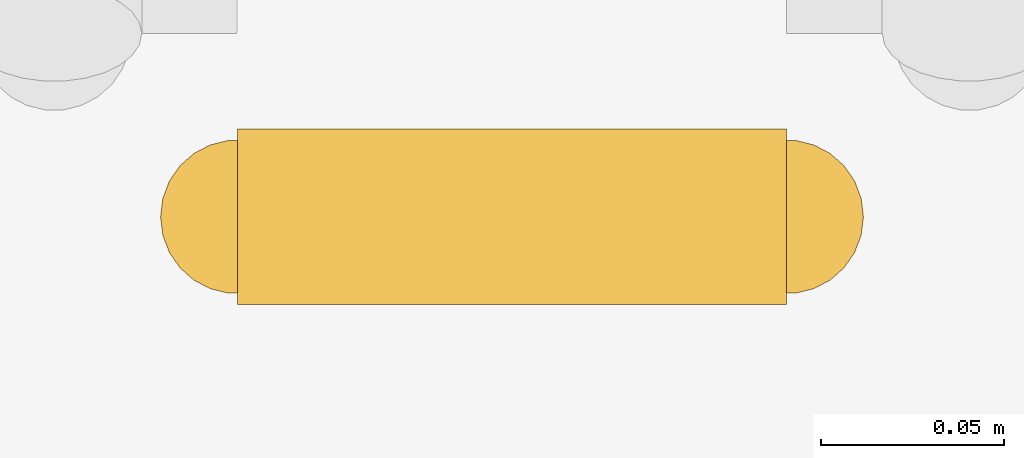
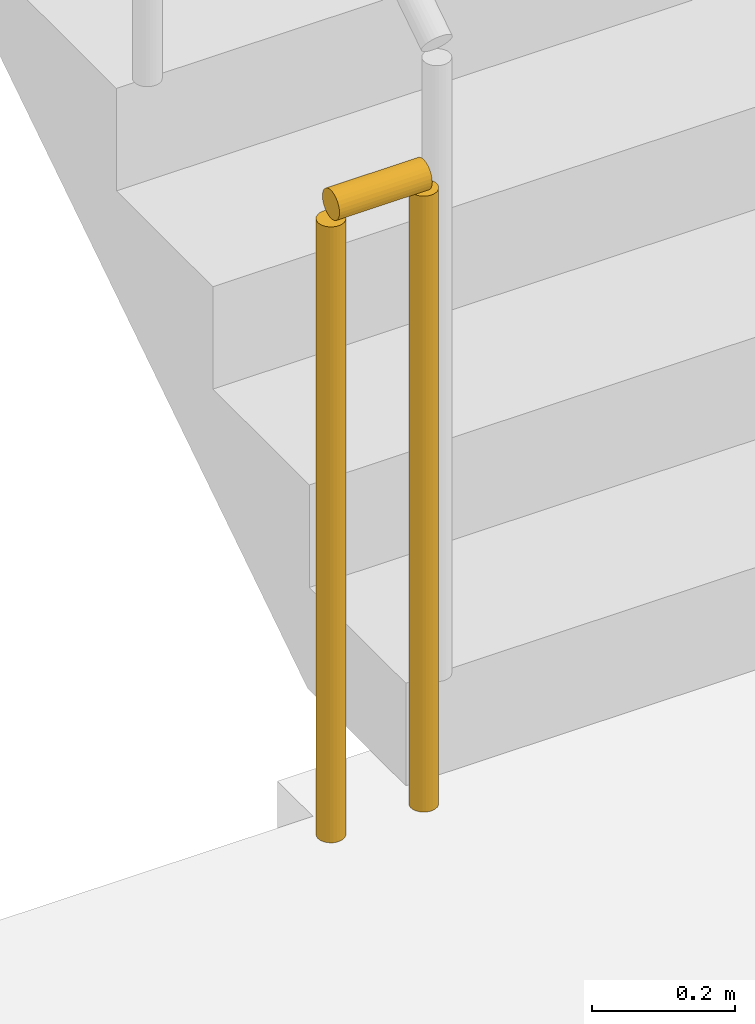
# One storey, part 15 of 20: 1 railing.
"""IFC4 building model written with IfcOpenShell, lengths in metres."""

from ifc_helpers import new_model, si_unit, direction, frame, origin, origin_2d, place, context, subcontext, project, spatial, circle, extrude, material, type_object, element, save


model = new_model("IFC4")

# Units and contexts
model_context = context("Model", 3, precision=1e-05, world=origin(), true_north=direction((0.0, 1.0)))
body_context = subcontext(model_context, "Body", "Model", "MODEL_VIEW")
ifc_project = project(units=[si_unit("LENGTHUNIT", "METRE"), si_unit("AREAUNIT", "SQUARE_METRE"), si_unit("VOLUMEUNIT", "CUBIC_METRE"), si_unit("PLANEANGLEUNIT", "RADIAN"), si_unit("MASSUNIT", "GRAM", prefix="KILO")], contexts=[model_context])

# Site, building, storey
site_placement = place(None, origin())
site = spatial("IfcSite", under=ifc_project, at=site_placement, CompositionType="ELEMENT")
building_placement = place(site_placement, origin())
building = spatial("IfcBuilding", under=site, at=building_placement, Name="Saffron Iwan Residences", CompositionType="ELEMENT")
storey_placement = place(building_placement, frame((0.0, 0.0, 146.5)))
storey = spatial("IfcBuildingStorey", under=building, at=storey_placement, Name="L38", CompositionType="ELEMENT", Elevation=146.5)

# Railing
ifc_material = material(Name="Steel S355", Category="steel")
railing_type = type_object("IfcRailingType", Name="Stair guard 1100", PredefinedType="GUARDRAIL", material=ifc_material)
railing_placement = place(storey_placement, frame((31.25, 67.800048828125, 0.0)))
element("IfcRailing", 1, at=railing_placement, inside=storey, type_object=railing_type, Name="L38 ST-W stair guard 2", PredefinedType="GUARDRAIL", context=body_context, shape_type="SweptSolid", body=[
    extrude(circle(Radius=0.02392578125, at=origin_2d()), frame((0.0, 0.0, 1.076171875), z_axis=(-1.0, 0.0, 0.0), x_axis=(0.0, -1.0, 0.0)), (0.0, 0.0, 1.0), 0.14990234375),
    extrude(circle(Radius=0.02099609375, at=origin_2d()), origin(), (0.0, 0.0, 1.0), 1.052001953125),
    extrude(circle(Radius=0.02099609375, at=origin_2d()), frame((-0.14990234375, 0.0, 0.0)), (0.0, 0.0, 1.0), 1.052001953125),
])

save(model, "model.ifc")
